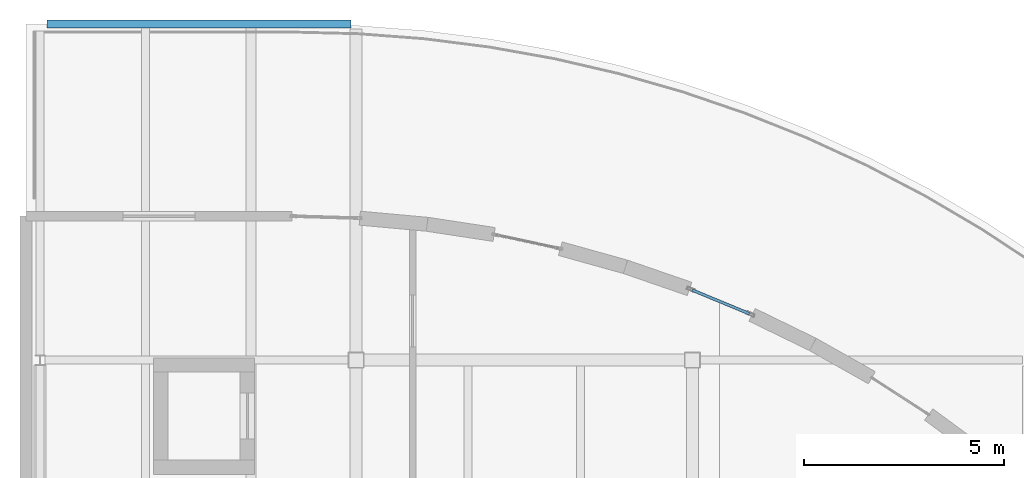
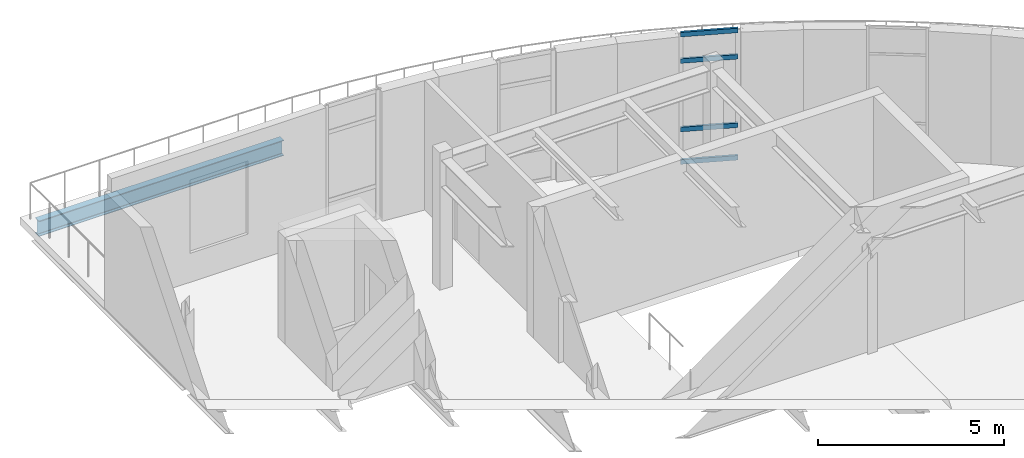
# One storey, part 15 of 26: 4 members, 1 beam, 1 element without a shape of its own.
"""IFC4 building model written with IfcOpenShell, lengths in metres."""

from ifc_helpers import new_model, si_unit, direction, frame, origin, origin_2d, place, context, subcontext, project, spatial, hollow_rectangle, i_section, extrude, material, layer, layer_set, material_profile, profile_set, type_object, element, aggregate, save


model = new_model("IFC4")

# Units and contexts
model_context = context("Model", 3, precision=1e-05, world=origin(), true_north=direction((0.0, 1.0)))
body_context = subcontext(model_context, "Body", "Model", "MODEL_VIEW")
ifc_project = project(units=[si_unit("LENGTHUNIT", "METRE"), si_unit("AREAUNIT", "SQUARE_METRE"), si_unit("VOLUMEUNIT", "CUBIC_METRE"), si_unit("PLANEANGLEUNIT", "RADIAN"), si_unit("MASSUNIT", "GRAM", prefix="KILO"), si_unit("THERMODYNAMICTEMPERATUREUNIT", "KELVIN")], contexts=[model_context])

# Site, building, storey
site_placement = place(None, origin())
site = spatial("IfcSite", under=ifc_project, at=site_placement, CompositionType="ELEMENT")
building_placement = place(site_placement, origin())
building = spatial("IfcBuilding", under=site, at=building_placement, Name="Lustrewick Department Store", CompositionType="ELEMENT")
storey_placement = place(building_placement, frame((0.0, 0.0, 36.300048828125)))
storey = spatial("IfcBuildingStorey", under=building, at=storey_placement, Name="L08", CompositionType="ELEMENT", Elevation=36.300048828125)

# Curtain wall, members
ifc_material_1 = material(Name="Thermally broken aluminium 6063-T5", Category="aluminium")
ifc_layer = layer(ifc_material_1, 0.199951171875, Name="Thermally broken aluminium 6063-T5")
ifc_layer_set = layer_set([ifc_layer], Name="Thermally broken aluminium 6063-T5")
curtain_wall_type = type_object("IfcCurtainWallType", Name="CW10", PredefinedType="NOTDEFINED", material=ifc_layer_set)
curtain_wall_placement = place(storey_placement, origin())
curtain_wall = element("IfcCurtainWall", 1, at=curtain_wall_placement, inside=storey, type_object=curtain_wall_type, Name="L08 V4 Curtain Wall CW10", PredefinedType="NOTDEFINED")
ifc_material_profile_1 = material_profile(ifc_material_1, hollow_rectangle(XDim=0.070068359375, YDim=0.14990234375, WallThickness=0.00390625, at=origin_2d()), Name="ALU-T 70x150x4")
ifc_profile_set_1 = profile_set([ifc_material_profile_1], Name="Thermally broken aluminium 6063-T5")
member_type = type_object("IfcMemberType", Name="CW10-T1", PredefinedType="USERDEFINED", material=ifc_profile_set_1)
member_1_placement = place(storey_placement, frame((127.427001953125, 85.159912109375, 0.034912109375), z_axis=(-0.923871065891, 0.382703871955, 0.0), x_axis=(-0.382703871955, -0.923871065891, 0.0)))
member_1 = element("IfcMember", 2, at=member_1_placement, type_object=member_type, Name="CW10 transom 1.1", ObjectType="TRANSOM", PredefinedType="USERDEFINED", context=body_context, shape_type="SweptSolid", body=[
    extrude(hollow_rectangle(XDim=0.070068359375, YDim=0.14990234375, WallThickness=0.00390625, at=origin_2d()), origin(), (0.0, 0.0, 1.0), 1.551513671875),
])
member_2_placement = place(storey_placement, frame((127.427001953125, 85.159912109375, 1.099853515625), z_axis=(-0.923871065891, 0.382703871955, 0.0), x_axis=(-0.382703871955, -0.923871065891, 0.0)))
member_2 = element("IfcMember", 3, at=member_2_placement, type_object=member_type, Name="CW10 transom 1.2", ObjectType="TRANSOM", PredefinedType="USERDEFINED", context=body_context, shape_type="SweptSolid", body=[
    extrude(hollow_rectangle(XDim=0.070068359375, YDim=0.14990234375, WallThickness=0.00390625, at=origin_2d()), origin(), (0.0, 0.0, 1.0), 1.551513671875),
])
member_3_placement = place(storey_placement, frame((127.427001953125, 85.159912109375, 3.344970703125), z_axis=(-0.923871065891, 0.382703871955, 0.0), x_axis=(-0.382703871955, -0.923871065891, 0.0)))
member_3 = element("IfcMember", 4, at=member_3_placement, type_object=member_type, Name="CW10 transom 1.3", ObjectType="TRANSOM", PredefinedType="USERDEFINED", context=body_context, shape_type="SweptSolid", body=[
    extrude(hollow_rectangle(XDim=0.070068359375, YDim=0.14990234375, WallThickness=0.00390625, at=origin_2d()), origin(), (0.0, 0.0, 1.0), 1.551513671875),
])
member_4_placement = place(storey_placement, frame((127.427001953125, 85.159912109375, 4.2099609375), z_axis=(-0.923871065891, 0.382703871955, 0.0), x_axis=(-0.382703871955, -0.923871065891, 0.0)))
member_4 = element("IfcMember", 5, at=member_4_placement, type_object=member_type, Name="CW10 transom 1.4", ObjectType="TRANSOM", PredefinedType="USERDEFINED", context=body_context, shape_type="SweptSolid", body=[
    extrude(hollow_rectangle(XDim=0.070068359375, YDim=0.14990234375, WallThickness=0.00390625, at=origin_2d()), origin(), (0.0, 0.0, 1.0), 1.551513671875),
])
aggregate(curtain_wall, [member_1, member_2, member_3, member_4])

# Beam
ifc_material_2 = material(Name="Structural steel Q355B", Category="steel")
ifc_material_profile_2 = material_profile(ifc_material_2, i_section(OverallWidth=0.200927734375, OverallDepth=0.506103515625, WebThickness=0.010986328125, FlangeThickness=0.01904296875, FilletRadius=0.01611328125, at=origin_2d()), Name="HN 506x201x11x19")
ifc_profile_set_2 = profile_set([ifc_material_profile_2], Name="Structural steel Q355B")
beam_type = type_object("IfcBeamType", Name="SP01", PredefinedType="SPANDREL", material=ifc_profile_set_2)
beam_placement = place(storey_placement, frame((109.8779296875, 92.39990234375, -0.508056640625), z_axis=(1.0, 0.0, 0.0), x_axis=(0.0, 1.0, 0.0)))
element("IfcBeam", 6, at=beam_placement, inside=storey, type_object=beam_type, Name="L08 V4 Girder SP01", PredefinedType="SPANDREL", context=body_context, shape_type="SweptSolid", body=[
    extrude(i_section(OverallWidth=0.200927734375, OverallDepth=0.506103515625, WebThickness=0.010986328125, FlangeThickness=0.01904296875, FilletRadius=0.01611328125, at=origin_2d()), origin(), (0.0, 0.0, 1.0), 7.59716796875),
])

save(model, "model.ifc")
